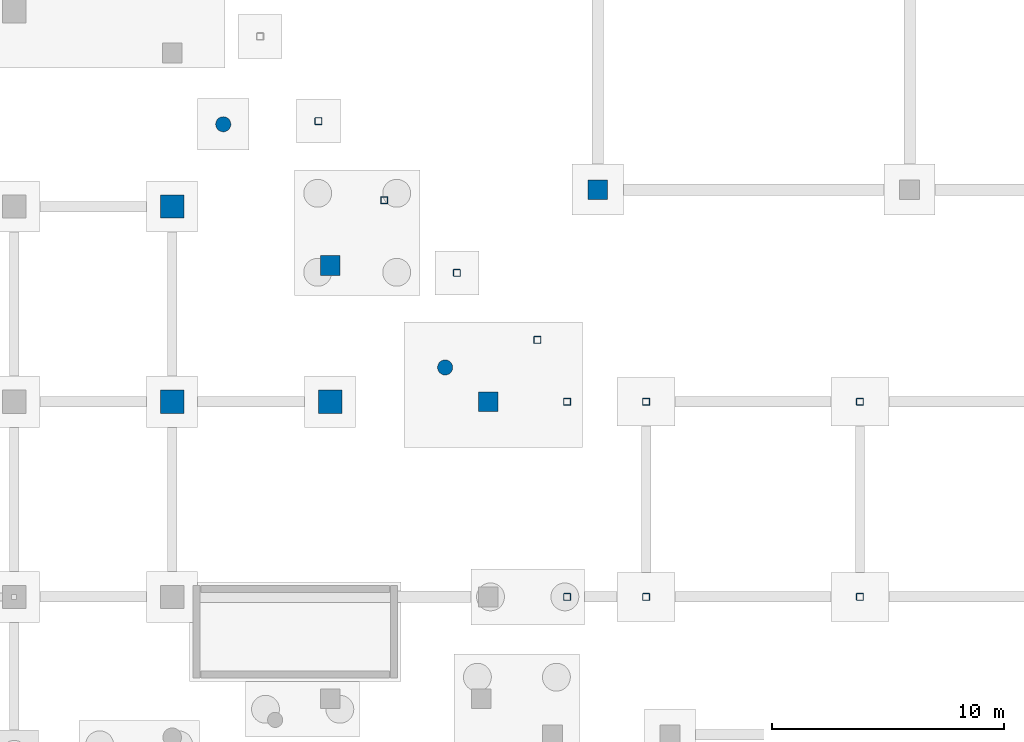
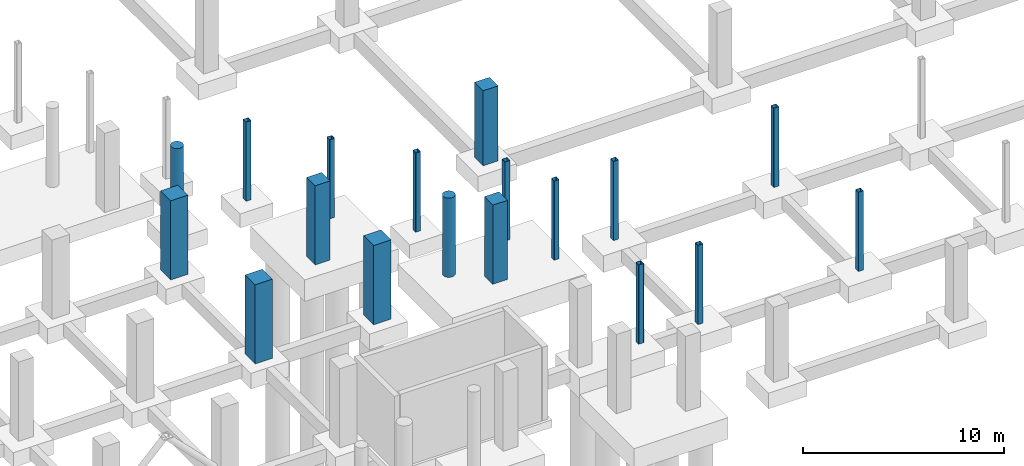
# One storey, part 9 of 44: 18 columns.
"""IFC4 building model written with IfcOpenShell, lengths in metres."""

from ifc_helpers import new_model, si_unit, direction, frame, origin, origin_2d, place, context, subcontext, project, spatial, rectangle, hollow_rectangle, circle, extrude, material, material_profile, profile_set, type_object, element, save


model = new_model("IFC4")

# Units and contexts
model_context = context("Model", 3, precision=1e-05, world=origin(), true_north=direction((0.0, 1.0)))
body_context = subcontext(model_context, "Body", "Model", "MODEL_VIEW")
ifc_project = project(units=[si_unit("LENGTHUNIT", "METRE"), si_unit("AREAUNIT", "SQUARE_METRE"), si_unit("VOLUMEUNIT", "CUBIC_METRE"), si_unit("PLANEANGLEUNIT", "RADIAN"), si_unit("MASSUNIT", "GRAM", prefix="KILO")], contexts=[model_context])

# Site, building, storey
site_placement = place(None, origin())
site = spatial("IfcSite", under=ifc_project, at=site_placement, CompositionType="ELEMENT")
building_placement = place(site_placement, origin())
building = spatial("IfcBuilding", under=site, at=building_placement, Name="Kisaragi Civic Commons", CompositionType="ELEMENT")
storey_placement = place(building_placement, frame((0.0, 0.0, -4.800048828125)))
storey = spatial("IfcBuildingStorey", under=building, at=storey_placement, Name="B1", CompositionType="ELEMENT", Elevation=-4.800048828125)

# Columns
ifc_material_1 = material(Name="Concrete Fc36", Category="concrete")
ifc_material_profile_1 = material_profile(ifc_material_1, rectangle(XDim=0.85009765625, YDim=0.85009765625, at=origin_2d()), Name="RC-850x850", Category="concrete")
ifc_profile_set_1 = profile_set([ifc_material_profile_1], Name="Concrete Fc36")
column_type_1 = type_object("IfcColumnType", Name="C-01", PredefinedType="COLUMN", material=ifc_profile_set_1)
column_placement = place(storey_placement, frame((52.31689453125, 25.926025390625, 0.0), z_axis=(0.0, 0.0, 1.0), x_axis=(1.0, 0.0, 0.0)))
element("IfcColumn", 1, at=column_placement, inside=storey, type_object=column_type_1, Name="B1 column C-01 (52.3,25.9)", PredefinedType="COLUMN", context=body_context, shape_type="SweptSolid", body=[
    extrude(rectangle(XDim=0.85009765625, YDim=0.85009765625, at=origin_2d()), origin(), (0.0, 0.0, 1.0), 4.554931640625),
])
ifc_material_profile_2 = material_profile(ifc_material_1, rectangle(XDim=0.85009765625, YDim=0.85009765625, at=origin_2d()), Name="RC-850x850", Category="concrete")
ifc_profile_set_2 = profile_set([ifc_material_profile_2], Name="Concrete Fc36")
column_type_2 = type_object("IfcColumnType", Name="C-05", PredefinedType="COLUMN", material=ifc_profile_set_2)
for number, where, z_axis, x_axis, name in (
    (2, (40.800048828125, 22.66796875, 0.0), (0.0, 0.0, 1.0), (1.0, 0.0, 0.0), "B1 column C-05 (40.8,22.7)"),
    (3, (47.60009765625, 16.800048828125, 0.0), (0.0, 0.0, 1.0), (1.0, 0.0, 0.0), "B1 column C-05 (47.6,16.8)"),
):
    element("IfcColumn", number, at=place(storey_placement, frame(where, z_axis=z_axis, x_axis=x_axis)), inside=storey, type_object=column_type_2, Name=name, PredefinedType="COLUMN", context=body_context, shape_type="SweptSolid", body=[
        extrude(rectangle(XDim=0.85009765625, YDim=0.85009765625, at=origin_2d()), origin(), (0.0, 0.0, 1.0), 4.800048828125),
    ])
ifc_material_2 = material(Name="Concrete Fc30", Category="concrete")
ifc_material_profile_3 = material_profile(ifc_material_2, circle(Radius=0.324951171875, at=origin_2d()), Name="RC-D650", Category="concrete")
ifc_profile_set_3 = profile_set([ifc_material_profile_3], Name="Concrete Fc30")
column_type_3 = type_object("IfcColumnType", Name="C-12", PredefinedType="COLUMN", material=ifc_profile_set_3)
for number, where, z_axis, x_axis, name in (
    (4, (36.19873046875, 28.740966796875, 0.0), (0.0, 0.0, 1.0), (1.0, 0.0, 0.0), "B1 column C-12 (36.2,28.7)"),
    (5, (45.746337890625, 18.274169921875, 0.0), (0.0, 0.0, 1.0), (1.0, 0.0, 0.0), "B1 column C-12 (45.7,18.3)"),
):
    element("IfcColumn", number, at=place(storey_placement, frame(where, z_axis=z_axis, x_axis=x_axis)), inside=storey, type_object=column_type_3, Name=name, PredefinedType="COLUMN", context=body_context, shape_type="SweptSolid", body=[
        extrude(circle(Radius=0.324951171875, at=origin_2d()), origin(), (0.0, 0.0, 1.0), 4.800048828125),
    ])
ifc_material_3 = material(Name="Steel BCR295", Category="steel")
ifc_material_profile_4 = material_profile(ifc_material_3, hollow_rectangle(XDim=0.300048828125, YDim=0.300048828125, WallThickness=0.011962890625, InnerFilletRadius=0.011962890625, OuterFilletRadius=0.02392578125, at=origin_2d()), Name="BCR-300x300x12", Category="steel")
ifc_profile_set_4 = profile_set([ifc_material_profile_4], Name="Steel BCR295")
column_type_4 = type_object("IfcColumnType", Name="C-14", PredefinedType="COLUMN", material=ifc_profile_set_4)
for number, where, z_axis, x_axis, name in (
    (6, (51.0, 8.39990234375, 0.0), (0.0, 0.0, 1.0), (1.0, 0.0, 0.0), "B1 column C-14 (51.0,8.4)"),
    (7, (51.0, 16.800048828125, 0.0), (0.0, 0.0, 1.0), (1.0, 0.0, 0.0), "B1 column C-14 (51.0,16.8)"),
    (8, (54.39990234375, 8.39990234375, 0.0), (0.0, 0.0, 1.0), (1.0, 0.0, 0.0), "B1 column C-14 (54.4,8.4)"),
    (9, (54.39990234375, 16.800048828125, 0.0), (0.0, 0.0, 1.0), (1.0, 0.0, 0.0), "B1 column C-14 (54.4,16.8)"),
    (10, (63.60009765625, 8.39990234375, 0.0), (0.0, 0.0, 1.0), (1.0, 0.0, 0.0), "B1 column C-14 (63.6,8.4)"),
    (11, (63.60009765625, 16.800048828125, 0.0), (0.0, 0.0, 1.0), (1.0, 0.0, 0.0), "B1 column C-14 (63.6,16.8)"),
):
    element("IfcColumn", number, at=place(storey_placement, frame(where, z_axis=z_axis, x_axis=x_axis)), inside=storey, type_object=column_type_4, Name=name, PredefinedType="COLUMN", context=body_context, shape_type="SweptSolid", body=[
        extrude(hollow_rectangle(XDim=0.300048828125, YDim=0.300048828125, WallThickness=0.011962890625, InnerFilletRadius=0.011962890625, OuterFilletRadius=0.02392578125, at=origin_2d()), origin(), (0.0, 0.0, 1.0), 4.800048828125),
    ])
ifc_material_profile_5 = material_profile(ifc_material_3, hollow_rectangle(XDim=0.300048828125, YDim=0.300048828125, WallThickness=0.012939453125, InnerFilletRadius=0.012939453125, OuterFilletRadius=0.02587890625, at=origin_2d()), Name="BCR-300x300x13", Category="steel")
ifc_profile_set_5 = profile_set([ifc_material_profile_5], Name="Steel BCR295")
column_type_5 = type_object("IfcColumnType", Name="C-15", PredefinedType="COLUMN", material=ifc_profile_set_5)
for number, where, z_axis, x_axis, name in (
    (12, (40.295654296875, 28.87451171875, 0.0), (0.0, 0.0, 1.0), (1.0, 0.0, 0.0), "B1 column C-15 (40.3,28.9)"),
    (13, (43.12646484375, 25.47216796875, 0.0), (0.0, 0.0, 1.0), (1.0, 0.0, 0.0), "B1 column C-15 (43.1,25.5)"),
    (14, (46.2548828125, 22.341552734375, 0.0), (0.0, 0.0, 1.0), (1.0, 0.0, 0.0), "B1 column C-15 (46.3,22.3)"),
    (15, (49.71630859375, 19.4609375, 0.0), (0.0, 0.0, 1.0), (1.0, 0.0, 0.0), "B1 column C-15 (49.7,19.5)"),
):
    element("IfcColumn", number, at=place(storey_placement, frame(where, z_axis=z_axis, x_axis=x_axis)), inside=storey, type_object=column_type_5, Name=name, PredefinedType="COLUMN", context=body_context, shape_type="SweptSolid", body=[
        extrude(hollow_rectangle(XDim=0.300048828125, YDim=0.300048828125, WallThickness=0.012939453125, InnerFilletRadius=0.012939453125, OuterFilletRadius=0.02587890625, at=origin_2d()), origin(), (0.0, 0.0, 1.0), 4.800048828125),
    ])
ifc_material_profile_6 = material_profile(ifc_material_1, rectangle(XDim=1.0, YDim=1.0, at=origin_2d()), Name="RC-1000x1000", Category="concrete")
ifc_profile_set_6 = profile_set([ifc_material_profile_6], Name="Concrete Fc36")
column_type_6 = type_object("IfcColumnType", Name="C-22", PredefinedType="COLUMN", material=ifc_profile_set_6)
for number, where, z_axis, x_axis, name in (
    (16, (34.0, 16.800048828125, 0.0), (0.0, 0.0, 1.0), (1.0, 0.0, 0.0), "B1 column C-22 (34.0,16.8)"),
    (17, (34.0, 25.199951171875, 0.0), (0.0, 0.0, 1.0), (1.0, 0.0, 0.0), "B1 column C-22 (34.0,25.2)"),
    (18, (40.800048828125, 16.800048828125, 0.0), (0.0, 0.0, 1.0), (1.0, 0.0, 0.0), "B1 column C-22 (40.8,16.8)"),
):
    element("IfcColumn", number, at=place(storey_placement, frame(where, z_axis=z_axis, x_axis=x_axis)), inside=storey, type_object=column_type_6, Name=name, PredefinedType="COLUMN", context=body_context, shape_type="SweptSolid", body=[
        extrude(rectangle(XDim=1.0, YDim=1.0, at=origin_2d()), origin(), (0.0, 0.0, 1.0), 4.800048828125),
    ])

save(model, "model.ifc")
